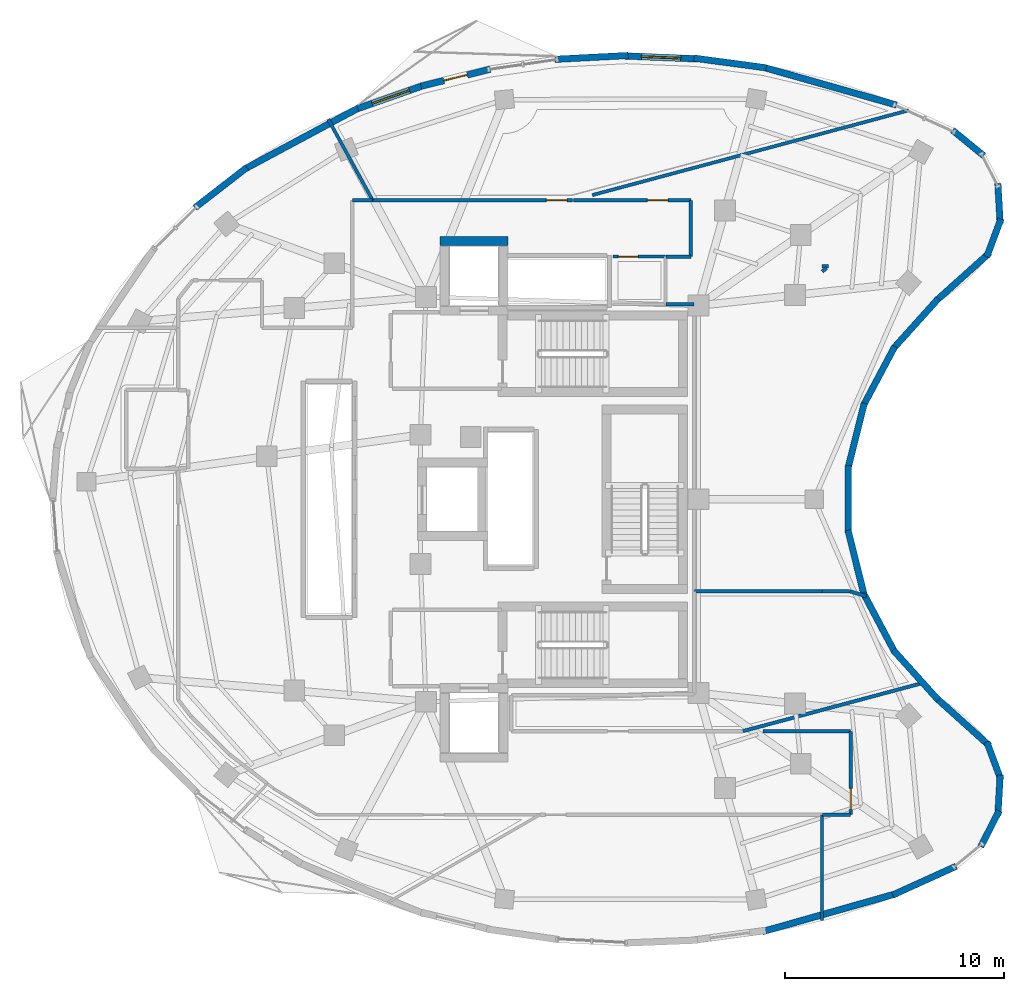
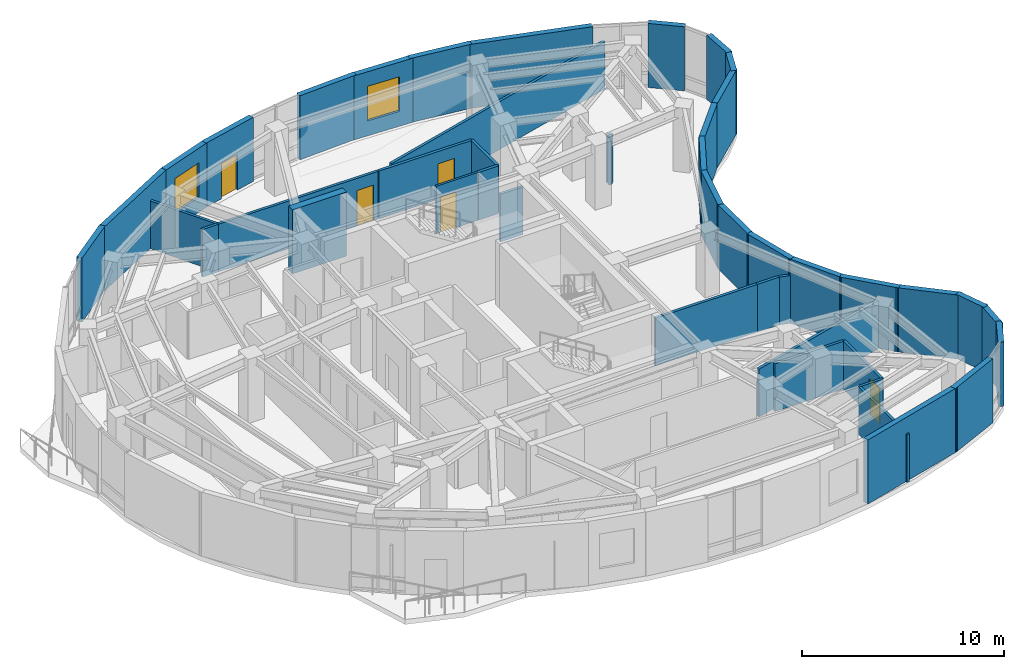
# One storey, part 9 of 13: 45 walls, 5 doors, 2 windows, 7 openings.
"""IFC4 building model written with IfcOpenShell, lengths in metres."""

from ifc_helpers import new_model, si_unit, direction, frame, frame_2d, origin, place, context, subcontext, project, spatial, rectangle, extrude, material, layer, layer_set, type_object, element, fill, save


model = new_model("IFC4")

# Units and contexts
model_context = context("Model", 3, precision=1e-05, world=origin(), true_north=direction((0.0, 1.0)))
body_context = subcontext(model_context, "Body", "Model", "MODEL_VIEW")
ifc_project = project(units=[si_unit("LENGTHUNIT", "METRE"), si_unit("AREAUNIT", "SQUARE_METRE"), si_unit("VOLUMEUNIT", "CUBIC_METRE"), si_unit("PLANEANGLEUNIT", "RADIAN"), si_unit("MASSUNIT", "GRAM", prefix="KILO")], contexts=[model_context])

# Site, building, storey
site_placement = place(None, origin())
site = spatial("IfcSite", under=ifc_project, at=site_placement, CompositionType="ELEMENT")
building_placement = place(site_placement, origin())
building = spatial("IfcBuilding", under=site, at=building_placement, Name="Korentha Bioscience Tower", CompositionType="ELEMENT")
storey_placement = place(building_placement, frame((0.0, 0.0, 273.0)))
storey = spatial("IfcBuildingStorey", under=building, at=storey_placement, Name="L63", CompositionType="ELEMENT", Elevation=273.0)

# Wall, opening, door
ifc_material_1 = material(Name="Double-Stud Acoustic Gypsum", Category="gypsum")
ifc_layer_1 = layer(ifc_material_1, 0.14990234375, Name="Double-Stud Acoustic Gypsum")
ifc_layer_set_1 = layer_set([ifc_layer_1], Name="Double-Stud Acoustic Gypsum (IW-L150)")
wall_type_1 = type_object("IfcWallType", Name="Acoustic Laboratory Partition Wall 150", PredefinedType="PARTITIONING", material=ifc_layer_set_1)
wall_1_placement = place(storey_placement, frame((44.510009765625, 12.60009765625, 0.0), z_axis=(0.0, 0.0, 1.0), x_axis=(0.0, 1.0, 0.0)))
wall_1 = element("IfcWall", 1, at=wall_1_placement, inside=storey, type_object=wall_type_1, Name="L63 Biomechanical Motion Analysis Lab 04 Entrance Wall", PredefinedType="PARTITIONING", context=body_context, shape_type="SweptSolid", body=[
    extrude(rectangle(XDim=3.7998046875, YDim=0.14990234375, at=frame_2d((1.89990234375, 0.0))), origin(), (0.0, 0.0, 1.0), 2.889892578125),
])
opening_1_placement = place(wall_1_placement, frame((0.239990234375, 0.0, 0.0)))
opening_1 = element("IfcOpeningElement", 2, at=opening_1_placement, cuts=wall_1, Name="Opening ID-10L", PredefinedType="OPENING", context=body_context, shape_type="SweptSolid", body=[
    extrude(rectangle(XDim=0.949951171875, YDim=2.14990234375, at=frame_2d((0.47509765625, 1.074951171875))), frame((0.0, 0.08984375, 0.0), z_axis=(0.0, -1.0, 0.0), x_axis=(1.0, 0.0, 0.0)), (0.0, 0.0, 1.0), 0.1796875),
])
ifc_material_2 = material(Name="Phenolic Laminate Timber Core", Category="wood")
door_type_1 = type_object("IfcDoorType", Name="Laboratory Single Leaf Door 950x2150 Left", OperationType="SINGLE_SWING_LEFT", PredefinedType="DOOR", material=ifc_material_2)
door_1_placement = place(opening_1_placement, origin())
door_1 = element("IfcDoor", 3, at=door_1_placement, inside=storey, type_object=door_type_1, Name="L63 Biomechanical Motion Analysis Lab 04 Door", OperationType="SINGLE_SWING_LEFT", OverallHeight=2.14990234375, OverallWidth=0.949951171875, PredefinedType="DOOR", context=body_context, shape_type="SweptSolid", body=[
    extrude(rectangle(XDim=0.949951171875, YDim=2.14990234375, at=frame_2d((0.47509765625, 1.074951171875))), frame((0.0, 0.02490234375, 0.0), z_axis=(0.0, -1.0, 0.0), x_axis=(1.0, 0.0, 0.0)), (0.0, 0.0, 1.0), 0.050048828125),
])
fill(opening_1, door_1)

wall_2_placement = place(storey_placement, frame((31.8056640625, 40.659912109375, 0.0), z_axis=(0.0, 0.0, 1.0), x_axis=(-1.0, 0.0, 0.0)))
wall_2 = element("IfcWall", 4, at=wall_2_placement, inside=storey, type_object=wall_type_1, Name="L63 Floor Concierge Reception 05 Entrance Wall", PredefinedType="PARTITIONING", context=body_context, shape_type="SweptSolid", body=[
    extrude(rectangle(XDim=9.136474609375, YDim=0.14990234375, at=frame_2d((4.568359375, 0.0))), origin(), (0.0, 0.0, 1.0), 2.889892578125),
])
opening_2_placement = place(wall_2_placement, frame((0.25732421875, 0.0, 0.0)))
opening_2 = element("IfcOpeningElement", 5, at=opening_2_placement, cuts=wall_2, Name="Opening ID-10R", PredefinedType="OPENING", context=body_context, shape_type="SweptSolid", body=[
    extrude(rectangle(XDim=0.949951171875, YDim=2.14990234375, at=frame_2d((0.47509765625, 1.074951171875))), frame((0.0, 0.08984375, 0.0), z_axis=(0.0, -1.0, 0.0), x_axis=(1.0, 0.0, 0.0)), (0.0, 0.0, 1.0), 0.1796875),
])
door_type_2 = type_object("IfcDoorType", Name="Laboratory Single Leaf Door 950x2150 Right", OperationType="SINGLE_SWING_RIGHT", PredefinedType="DOOR", material=ifc_material_2)
door_2_placement = place(opening_2_placement, origin())
door_2 = element("IfcDoor", 6, at=door_2_placement, inside=storey, type_object=door_type_2, Name="L63 Floor Concierge Reception 05 Door", OperationType="SINGLE_SWING_RIGHT", OverallHeight=2.14990234375, OverallWidth=0.949951171875, PredefinedType="DOOR", context=body_context, shape_type="SweptSolid", body=[
    extrude(rectangle(XDim=0.949951171875, YDim=2.14990234375, at=frame_2d((0.47509765625, 1.074951171875))), frame((0.0, 0.02490234375, 0.0), z_axis=(0.0, -1.0, 0.0), x_axis=(1.0, 0.0, 0.0)), (0.0, 0.0, 1.0), 0.050048828125),
])
fill(opening_2, door_2)

# Walls
wall_3_placement = place(storey_placement, frame((43.197998046875, 12.590087890625, 0.0), z_axis=(0.0, 0.0, 1.0), x_axis=(0.0, -1.0, 0.0)))
element("IfcWall", 7, at=wall_3_placement, inside=storey, type_object=wall_type_1, Name="L63 Interior Partition 022", PredefinedType="PARTITIONING", context=body_context, shape_type="SweptSolid", body=[
    extrude(rectangle(XDim=4.820556640625, YDim=0.14990234375, at=frame_2d((2.41015625, 0.0))), origin(), (0.0, 0.0, 1.0), 2.889892578125),
])
wall_4_placement = place(storey_placement, frame((43.2080078125, 12.590087890625, 0.0), z_axis=(0.0, 0.0, 1.0), x_axis=(1.0, 0.0, 0.0)))
element("IfcWall", 8, at=wall_4_placement, inside=storey, type_object=wall_type_1, Name="L63 Interior Partition 031", PredefinedType="PARTITIONING", context=body_context, shape_type="SweptSolid", body=[
    extrude(rectangle(XDim=1.2919921875, YDim=0.14990234375, at=frame_2d((0.64599609375, 0.0))), origin(), (0.0, 0.0, 1.0), 2.889892578125),
])
wall_5_placement = place(storey_placement, frame((44.5, 16.409912109375, 0.0), z_axis=(0.0, 0.0, 1.0), x_axis=(-1.0, 0.0, 0.0)))
element("IfcWall", 9, at=wall_5_placement, inside=storey, type_object=wall_type_1, Name="L63 Interior Partition 032", PredefinedType="PARTITIONING", context=body_context, shape_type="SweptSolid", body=[
    extrude(rectangle(XDim=3.98974609375, YDim=0.14990234375, at=frame_2d((1.994873046875, 0.0))), origin(), (0.0, 0.0, 1.0), 2.889892578125),
])
wall_6_placement = place(storey_placement, frame((47.15380859375, 44.7724609375, 0.0), z_axis=(0.0, 0.0, 1.0), x_axis=(-0.965924962881, -0.258822267365, 0.0)))
element("IfcWall", 10, at=wall_6_placement, inside=storey, type_object=wall_type_1, Name="L63 Interior Partition 033", PredefinedType="PARTITIONING", context=body_context, shape_type="SweptSolid", body=[
    extrude(rectangle(XDim=14.962158203125, YDim=0.14990234375, at=frame_2d((7.48095703125, 0.0))), origin(), (0.0, 0.0, 1.0), 2.889892578125),
])
wall_7_placement = place(storey_placement, frame((22.669189453125, 40.659912109375, 0.0), z_axis=(0.0, 0.0, 1.0), x_axis=(-0.480944413436, 0.8767510885, 0.0)))
element("IfcWall", 11, at=wall_7_placement, inside=storey, type_object=wall_type_1, Name="L63 Interior Partition 034", PredefinedType="PARTITIONING", context=body_context, shape_type="SweptSolid", body=[
    extrude(rectangle(XDim=4.223876953125, YDim=0.14990234375, at=frame_2d((2.11181640625, 0.0))), origin(), (0.0, 0.0, 1.0), 2.889892578125),
])
wall_8_placement = place(storey_placement, frame((22.65771484375, 40.659912109375, 0.0), z_axis=(0.0, 0.0, 1.0), x_axis=(-1.0, 0.0, 0.0)))
element("IfcWall", 12, at=wall_8_placement, inside=storey, type_object=wall_type_1, Name="L63 Interior Partition 048", PredefinedType="PARTITIONING", context=body_context, shape_type="SweptSolid", body=[
    extrude(rectangle(XDim=0.90771484375, YDim=0.14990234375, at=frame_2d((0.453857421875, 0.0))), origin(), (0.0, 0.0, 1.0), 2.889892578125),
])

# Wall, opening, door
ifc_material_3 = material(Name="Gypsum-Clad Steel Stud", Category="steel")
ifc_layer_2 = layer(ifc_material_3, 0.159912109375, Name="Gypsum-Clad Steel Stud")
ifc_layer_set_2 = layer_set([ifc_layer_2], Name="Gypsum-Clad Steel Stud (IW-C160)")
wall_type_2 = type_object("IfcWallType", Name="Fire-Rated Corridor Partition Wall 160", PredefinedType="PARTITIONING", material=ifc_layer_set_2)
wall_9_placement = place(storey_placement, frame((37.199951171875, 40.659912109375, 0.0), z_axis=(0.0, 0.0, 1.0), x_axis=(-1.0, 0.0, 0.0)))
wall_9 = element("IfcWall", 13, at=wall_9_placement, inside=storey, type_object=wall_type_2, Name="L63 Sky-Lobby Catering Pantry Store 06 Entrance Wall", PredefinedType="PARTITIONING", context=body_context, shape_type="SweptSolid", body=[
    extrude(rectangle(XDim=5.35546875, YDim=0.159912109375, at=frame_2d((2.677734375, 0.0))), origin(), (0.0, 0.0, 1.0), 2.889892578125),
])
opening_3_placement = place(wall_9_placement, frame((1.037353515625, 0.0, 0.0)))
opening_3 = element("IfcOpeningElement", 14, at=opening_3_placement, cuts=wall_9, Name="Opening ID-10L", PredefinedType="OPENING", context=body_context, shape_type="SweptSolid", body=[
    extrude(rectangle(XDim=0.949951171875, YDim=2.14990234375, at=frame_2d((0.47509765625, 1.074951171875))), frame((0.0, 0.0947265625, 0.0), z_axis=(0.0, -1.0, 0.0), x_axis=(1.0, 0.0, 0.0)), (0.0, 0.0, 1.0), 0.189697265625),
])
door_3_placement = place(opening_3_placement, origin())
door_3 = element("IfcDoor", 15, at=door_3_placement, inside=storey, type_object=door_type_1, Name="L63 Sky-Lobby Catering Pantry Store 06 Door", OperationType="SINGLE_SWING_LEFT", OverallHeight=2.14990234375, OverallWidth=0.949951171875, PredefinedType="DOOR", context=body_context, shape_type="SweptSolid", body=[
    extrude(rectangle(XDim=0.949951171875, YDim=2.14990234375, at=frame_2d((0.47509765625, 1.074951171875))), frame((0.0, 0.02490234375, 0.0), z_axis=(0.0, -1.0, 0.0), x_axis=(1.0, 0.0, 0.0)), (0.0, 0.0, 1.0), 0.050048828125),
])
fill(opening_3, door_3)

# Walls
wall_10_placement = place(storey_placement, frame((37.360107421875, 22.798095703125, 0.0), z_axis=(0.0, 0.0, 1.0), x_axis=(1.0, 0.0, 0.0)))
element("IfcWall", 16, at=wall_10_placement, inside=storey, type_object=wall_type_2, Name="L63 Interior Partition 026", PredefinedType="PARTITIONING", context=body_context, shape_type="SweptSolid", body=[
    extrude(rectangle(XDim=5.837890625, YDim=0.159912109375, at=frame_2d((2.9189453125, 0.0))), origin(), (0.0, 0.0, 1.0), 2.889892578125),
])
wall_11_placement = place(storey_placement, frame((43.2021484375, 22.798095703125, 0.0), z_axis=(0.0, 0.0, 1.0), x_axis=(1.0, 0.0, 0.0)))
element("IfcWall", 17, at=wall_11_placement, inside=storey, type_object=wall_type_2, Name="L63 Interior Partition 027", PredefinedType="PARTITIONING", context=body_context, shape_type="SweptSolid", body=[
    extrude(rectangle(XDim=1.2607421875, YDim=0.159912109375, at=frame_2d((0.63037109375, 0.0))), origin(), (0.0, 0.0, 1.0), 2.889892578125),
])
wall_12_placement = place(storey_placement, frame((44.463134765625, 22.798095703125, 0.0), z_axis=(0.0, 0.0, 1.0), x_axis=(0.959419641558, -0.281982182759, 0.0)))
element("IfcWall", 18, at=wall_12_placement, inside=storey, type_object=wall_type_2, Name="L63 Interior Partition 028", PredefinedType="PARTITIONING", context=body_context, shape_type="SweptSolid", body=[
    extrude(rectangle(XDim=0.78955078125, YDim=0.159912109375, at=frame_2d((0.394775390625, 0.0))), origin(), (0.0, 0.0, 1.0), 2.889892578125),
])
wall_13_placement = place(storey_placement, frame((47.832275390625, 18.620361328125, 0.0), z_axis=(0.0, 0.0, 1.0), x_axis=(-0.965923934259, -0.258826106152, 0.0)))
element("IfcWall", 19, at=wall_13_placement, inside=storey, type_object=wall_type_2, Name="L63 Interior Partition 029", PredefinedType="PARTITIONING", context=body_context, shape_type="SweptSolid", body=[
    extrude(rectangle(XDim=8.540283203125, YDim=0.159912109375, at=frame_2d((4.27001953125, 0.0))), origin(), (0.0, 0.0, 1.0), 2.889892578125),
])
wall_14_placement = place(storey_placement, frame((37.35009765625, 35.909912109375, 0.0), z_axis=(0.0, 0.0, 1.0), x_axis=(-1.0, 0.0, 0.0)))
element("IfcWall", 20, at=wall_14_placement, inside=storey, type_object=wall_type_2, Name="L63 Interior Partition 038", PredefinedType="PARTITIONING", context=body_context, shape_type="SweptSolid", body=[
    extrude(rectangle(XDim=1.2900390625, YDim=0.159912109375, at=frame_2d((0.64501953125, 0.0))), origin(), (0.0, 0.0, 1.0), 2.889892578125),
])
wall_15_placement = place(storey_placement, frame((36.06005859375, 38.090087890625, 0.0), z_axis=(0.0, 0.0, 1.0), x_axis=(1.0, 0.0, 0.0)))
element("IfcWall", 21, at=wall_15_placement, inside=storey, type_object=wall_type_2, Name="L63 Interior Partition 039", PredefinedType="PARTITIONING", context=body_context, shape_type="SweptSolid", body=[
    extrude(rectangle(XDim=1.139892578125, YDim=0.159912109375, at=frame_2d((0.56982421875, 0.0))), origin(), (0.0, 0.0, 1.0), 2.889892578125),
])
wall_16_placement = place(storey_placement, frame((37.2099609375, 38.10009765625, 0.0), z_axis=(0.0, 0.0, 1.0), x_axis=(0.0, 1.0, 0.0)))
element("IfcWall", 22, at=wall_16_placement, inside=storey, type_object=wall_type_2, Name="L63 Interior Partition 040", PredefinedType="PARTITIONING", context=body_context, shape_type="SweptSolid", body=[
    extrude(rectangle(XDim=2.5498046875, YDim=0.159912109375, at=frame_2d((1.27490234375, 0.0))), origin(), (0.0, 0.0, 1.0), 2.889892578125),
])
wall_17_placement = place(storey_placement, frame((43.20458984375, 37.40771484375, 0.0), z_axis=(0.0, 0.0, 1.0), x_axis=(0.781145187464, 0.624349418276, 0.0)))
element("IfcWall", 23, at=wall_17_placement, inside=storey, type_object=wall_type_2, Name="L63 Interior Partition 041", PredefinedType="PARTITIONING", context=body_context, shape_type="SweptSolid", body=[
    extrude(rectangle(XDim=0.258544921875, YDim=0.159912109375, at=frame_2d((0.12939453125, 0.0))), origin(), (0.0, 0.0, 1.0), 2.889892578125),
])
wall_18_placement = place(storey_placement, frame((43.499267578125, 37.652099609375, 0.0), z_axis=(0.0, 0.0, 1.0), x_axis=(-1.0, 0.0, 0.0)))
element("IfcWall", 24, at=wall_18_placement, inside=storey, type_object=wall_type_2, Name="L63 Interior Partition 042", PredefinedType="PARTITIONING", context=body_context, shape_type="SweptSolid", body=[
    extrude(rectangle(XDim=0.297119140625, YDim=0.159912109375, at=frame_2d((0.1484375, 0.0))), origin(), (0.0, 0.0, 1.0), 2.889892578125),
])

# Wall, opening, window
ifc_material_4 = material(Name="Honed Limestone Precast Concrete C40", Category="masonry")
ifc_layer_3 = layer(ifc_material_4, 0.300048828125, Name="Honed Limestone Precast Concrete C40")
ifc_layer_set_3 = layer_set([ifc_layer_3], Name="Honed Limestone Precast Concrete C40 (EW-ST300)")
wall_type_3 = type_object("IfcWallType", Name="Honed Limestone Cavity Spandrel Wall 300", PredefinedType="STANDARD", material=ifc_layer_set_3)
wall_19_placement = place(storey_placement, frame((37.495849609375, 47.122802734375, 0.0), z_axis=(0.0, 0.0, 1.0), x_axis=(-0.999191145847, 0.040212610729, 0.0)))
wall_19 = element("IfcWall", 25, at=wall_19_placement, inside=storey, type_object=wall_type_3, Name="L63 Honed Limestone Spandrel Wall 05", PredefinedType="STANDARD", context=body_context, shape_type="SweptSolid", body=[
    extrude(rectangle(XDim=3.308837890625, YDim=0.300048828125, at=frame_2d((1.654296875, 0.0))), origin(), (0.0, 0.0, 1.0), 3.8798828125),
])
opening_4_placement = place(wall_19_placement, frame((0.75439453125, 0.0, 0.89990234375)))
opening_4 = element("IfcOpeningElement", 26, at=opening_4_placement, cuts=wall_19, Name="Opening WN-01", PredefinedType="OPENING", context=body_context, shape_type="SweptSolid", body=[
    extrude(rectangle(XDim=1.800048828125, YDim=2.10009765625, at=frame_2d((0.89990234375, 1.050048828125))), frame((0.0, 0.1650390625, 0.0), z_axis=(0.0, -1.0, 0.0), x_axis=(1.0, 0.0, 0.0)), (0.0, 0.0, 1.0), 0.329833984375),
])
ifc_material_5 = material(Name="Thermally Broken Aluminium Triple Glazing", Category="aluminium")
window_type = type_object("IfcWindowType", Name="Triple-Glazed Fixed Bioscience Window 1800x2100", PartitioningType="SINGLE_PANEL", PredefinedType="WINDOW", material=ifc_material_5)
window_1_placement = place(opening_4_placement, origin())
window_1 = element("IfcWindow", 27, at=window_1_placement, inside=storey, type_object=window_type, Name="L63 Facade Window 05", OverallHeight=2.10009765625, OverallWidth=1.800048828125, PartitioningType="SINGLE_PANEL", PredefinedType="WINDOW", context=body_context, shape_type="SweptSolid", body=[
    extrude(rectangle(XDim=1.800048828125, YDim=2.10009765625, at=frame_2d((0.89990234375, 1.050048828125))), frame((0.0, 0.030029296875, 0.0), z_axis=(0.0, -1.0, 0.0), x_axis=(1.0, 0.0, 0.0)), (0.0, 0.0, 1.0), 0.06005859375),
])
fill(opening_4, window_1)

# Wall, opening, door
wall_20_placement = place(storey_placement, frame((28.034912109375, 46.647216796875, 0.0), z_axis=(0.0, 0.0, 1.0), x_axis=(-0.971310768778, -0.237813772636, 0.0)))
wall_20 = element("IfcWall", 28, at=wall_20_placement, inside=storey, type_object=wall_type_3, Name="L63 Balcony Threshold Wall 01", PredefinedType="STANDARD", context=body_context, shape_type="SweptSolid", body=[
    extrude(rectangle(XDim=3.250244140625, YDim=0.300048828125, at=frame_2d((1.625, 0.0))), origin(), (0.0, 0.0, 1.0), 3.8798828125),
])
opening_5_placement = place(wall_20_placement, frame((1.074951171875, 0.0, 0.0)))
opening_5 = element("IfcOpeningElement", 29, at=opening_5_placement, cuts=wall_20, Name="Opening BD-11L", PredefinedType="OPENING", context=body_context, shape_type="SweptSolid", body=[
    extrude(rectangle(XDim=1.10009765625, YDim=2.14990234375, at=frame_2d((0.550048828125, 1.074951171875))), frame((0.0, 0.1650390625, 0.0), z_axis=(0.0, -1.0, 0.0), x_axis=(1.0, 0.0, 0.0)), (0.0, 0.0, 1.0), 0.329833984375),
])
ifc_material_6 = material(Name="Thermally Broken Glazed Aluminium", Category="aluminium")
door_type_3 = type_object("IfcDoorType", Name="Balcony Terrace Glazed Door 1100x2150 Left", OperationType="SINGLE_SWING_LEFT", PredefinedType="DOOR", material=ifc_material_6)
door_4_placement = place(opening_5_placement, origin())
door_4 = element("IfcDoor", 30, at=door_4_placement, inside=storey, type_object=door_type_3, Name="L63 Balcony Access Door 01", OperationType="SINGLE_SWING_LEFT", OverallHeight=2.14990234375, OverallWidth=1.10009765625, PredefinedType="DOOR", context=body_context, shape_type="SweptSolid", body=[
    extrude(rectangle(XDim=1.10009765625, YDim=2.14990234375, at=frame_2d((0.550048828125, 1.074951171875))), frame((0.0, 0.02490234375, 0.0), z_axis=(0.0, -1.0, 0.0), x_axis=(1.0, 0.0, 0.0)), (0.0, 0.0, 1.0), 0.050048828125),
])
fill(opening_5, door_4)

# Wall, opening, window
wall_21_placement = place(storey_placement, frame((25.0078125, 45.912841796875, 0.0), z_axis=(0.0, 0.0, 1.0), x_axis=(-0.943473052448, -0.331449240917, 0.0)))
wall_21 = element("IfcWall", 31, at=wall_21_placement, inside=storey, type_object=wall_type_3, Name="L63 Honed Limestone Spandrel Wall 09", PredefinedType="STANDARD", context=body_context, shape_type="SweptSolid", body=[
    extrude(rectangle(XDim=3.196044921875, YDim=0.300048828125, at=frame_2d((1.59814453125, 0.0))), origin(), (0.0, 0.0, 1.0), 3.8798828125),
])
opening_6_placement = place(wall_21_placement, frame((0.697998046875, 0.0, 0.89990234375)))
opening_6 = element("IfcOpeningElement", 32, at=opening_6_placement, cuts=wall_21, Name="Opening WN-01", PredefinedType="OPENING", context=body_context, shape_type="SweptSolid", body=[
    extrude(rectangle(XDim=1.800048828125, YDim=2.10009765625, at=frame_2d((0.89990234375, 1.050048828125))), frame((0.0, 0.1650390625, 0.0), z_axis=(0.0, -1.0, 0.0), x_axis=(1.0, 0.0, 0.0)), (0.0, 0.0, 1.0), 0.329833984375),
])
window_2_placement = place(opening_6_placement, origin())
window_2 = element("IfcWindow", 33, at=window_2_placement, inside=storey, type_object=window_type, Name="L63 Facade Window 09", OverallHeight=2.10009765625, OverallWidth=1.800048828125, PartitioningType="SINGLE_PANEL", PredefinedType="WINDOW", context=body_context, shape_type="SweptSolid", body=[
    extrude(rectangle(XDim=1.800048828125, YDim=2.10009765625, at=frame_2d((0.89990234375, 1.050048828125))), frame((0.0, 0.030029296875, 0.0), z_axis=(0.0, -1.0, 0.0), x_axis=(1.0, 0.0, 0.0)), (0.0, 0.0, 1.0), 0.06005859375),
])
fill(opening_6, window_2)

# Walls
wall_22_placement = place(storey_placement, frame((46.6015625, 45.014404296875, 0.0), z_axis=(0.0, 0.0, 1.0), x_axis=(-0.962160382219, 0.272483758943, 0.0)))
element("IfcWall", 34, at=wall_22_placement, inside=storey, type_object=wall_type_3, Name="L63 Limestone Perimeter Closure Wall 02", PredefinedType="STANDARD", context=body_context, shape_type="SweptSolid", body=[
    extrude(rectangle(XDim=6.372314453125, YDim=0.300048828125, at=frame_2d((3.18603515625, 0.0))), origin(), (0.0, 0.0, 1.0), 3.8798828125),
])
wall_23_placement = place(storey_placement, frame((40.646240234375, 46.71435546875, 0.0), z_axis=(0.0, 0.0, 1.0), x_axis=(-0.991133560493, 0.132869354124, 0.0)))
element("IfcWall", 35, at=wall_23_placement, inside=storey, type_object=wall_type_3, Name="L63 Limestone Perimeter Closure Wall 04", PredefinedType="STANDARD", context=body_context, shape_type="SweptSolid", body=[
    extrude(rectangle(XDim=3.331298828125, YDim=0.300048828125, at=frame_2d((1.66552734375, 0.0))), origin(), (0.0, 0.0, 1.0), 3.8798828125),
])
wall_24_placement = place(storey_placement, frame((34.34326171875, 47.27783203125, 0.0), z_axis=(0.0, 0.0, 1.0), x_axis=(-0.998635900459, -0.052214349695, 0.0)))
element("IfcWall", 36, at=wall_24_placement, inside=storey, type_object=wall_type_3, Name="L63 Limestone Perimeter Closure Wall 06", PredefinedType="STANDARD", context=body_context, shape_type="SweptSolid", body=[
    extrude(rectangle(XDim=3.347900390625, YDim=0.300048828125, at=frame_2d((1.673828125, 0.0))), origin(), (0.0, 0.0, 1.0), 3.8798828125),
])
wall_25_placement = place(storey_placement, frame((22.1328125, 44.93896484375, 0.0), z_axis=(0.0, 0.0, 1.0), x_axis=(-0.881337457, -0.472487340454, 0.0)))
element("IfcWall", 37, at=wall_25_placement, inside=storey, type_object=wall_type_3, Name="L63 Limestone Perimeter Closure Wall 10", PredefinedType="STANDARD", context=body_context, shape_type="SweptSolid", body=[
    extrude(rectangle(XDim=6.08837890625, YDim=0.300048828125, at=frame_2d((3.044189453125, 0.0))), origin(), (0.0, 0.0, 1.0), 3.8798828125),
])
wall_26_placement = place(storey_placement, frame((16.920166015625, 42.16162109375, 0.0), z_axis=(0.0, 0.0, 1.0), x_axis=(-0.790506568463, -0.612453561682, 0.0)))
element("IfcWall", 38, at=wall_26_placement, inside=storey, type_object=wall_type_3, Name="L63 Limestone Perimeter Closure Wall 12", PredefinedType="STANDARD", context=body_context, shape_type="SweptSolid", body=[
    extrude(rectangle(XDim=3.0029296875, YDim=0.300048828125, at=frame_2d((1.50146484375, 0.0))), origin(), (0.0, 0.0, 1.0), 3.8798828125),
])
wall_27_placement = place(storey_placement, frame((40.470458984375, 7.249267578125, 0.0), z_axis=(0.0, 0.0, 1.0), x_axis=(0.962160382219, 0.272483758943, 0.0)))
element("IfcWall", 39, at=wall_27_placement, inside=storey, type_object=wall_type_3, Name="L63 Limestone Perimeter Closure Wall 34", PredefinedType="STANDARD", context=body_context, shape_type="SweptSolid", body=[
    extrude(rectangle(XDim=6.372314453125, YDim=0.300048828125, at=frame_2d((3.18603515625, 0.0))), origin(), (0.0, 0.0, 1.0), 3.8798828125),
])
wall_28_placement = place(storey_placement, frame((46.431884765625, 8.92333984375, 0.0), z_axis=(0.0, 0.0, 1.0), x_axis=(0.910592641424, 0.413305022211, 0.0)))
element("IfcWall", 40, at=wall_28_placement, inside=storey, type_object=wall_type_3, Name="L63 Limestone Perimeter Closure Wall 36", PredefinedType="STANDARD", context=body_context, shape_type="SweptSolid", body=[
    extrude(rectangle(XDim=3.177490234375, YDim=0.300048828125, at=frame_2d((1.5888671875, 0.0))), origin(), (0.0, 0.0, 1.0), 3.8798828125),
])
for number, where, z_axis, x_axis, name in (
    (41, (50.451171875, 11.1328125, 0.0), (0.0, 0.0, 1.0), (0.454199826939, 0.890899835677, 0.0), "L63 Limestone Perimeter Closure Wall 38"),
    (42, (51.231689453125, 12.56689453125, 0.0), (0.0, 0.0, 1.0), (0.057400886187, 0.998351209878, 0.0), "L63 Limestone Perimeter Closure Wall 39"),
    (43, (51.369384765625, 14.193603515625, 0.0), (0.0, 0.0, 1.0), (-0.348928688775, 0.937149278477, 0.0), "L63 Limestone Perimeter Closure Wall 40"),
):
    element("IfcWall", number, at=place(storey_placement, frame(where, z_axis=z_axis, x_axis=x_axis)), inside=storey, type_object=wall_type_3, Name=name, PredefinedType="STANDARD", context=body_context, shape_type="SweptSolid", body=[
        extrude(rectangle(XDim=1.841552734375, YDim=0.300048828125, at=frame_2d((0.9208984375, 0.0))), origin(), (0.0, 0.0, 1.0), 3.8798828125),
    ])
wall_29_placement = place(storey_placement, frame((50.8515625, 15.73583984375, 0.0), z_axis=(0.0, 0.0, 1.0), x_axis=(-0.743397410822, 0.668849975393, 0.0)))
element("IfcWall", 44, at=wall_29_placement, inside=storey, type_object=wall_type_3, Name="L63 Limestone Perimeter Closure Wall 41", PredefinedType="STANDARD", context=body_context, shape_type="SweptSolid", body=[
    extrude(rectangle(XDim=3.291259765625, YDim=0.300048828125, at=frame_2d((1.6455078125, 0.0))), origin(), (0.0, 0.0, 1.0), 3.8798828125),
])
wall_30_placement = place(storey_placement, frame((48.507568359375, 17.834716796875, 0.0), z_axis=(0.0, 0.0, 1.0), x_axis=(-0.669127242861, 0.743147853971, 0.0)))
element("IfcWall", 45, at=wall_30_placement, inside=storey, type_object=wall_type_3, Name="L63 Limestone Perimeter Closure Wall 43", PredefinedType="STANDARD", context=body_context, shape_type="SweptSolid", body=[
    extrude(rectangle(XDim=3.07080078125, YDim=0.300048828125, at=frame_2d((1.535400390625, 0.0))), origin(), (0.0, 0.0, 1.0), 3.8798828125),
])
wall_31_placement = place(storey_placement, frame((46.5244140625, 20.014404296875, 0.0), z_axis=(0.0, 0.0, 1.0), x_axis=(-0.469494296004, 0.882935505017, 0.0)))
element("IfcWall", 46, at=wall_31_placement, inside=storey, type_object=wall_type_3, Name="L63 Limestone Perimeter Closure Wall 45", PredefinedType="STANDARD", context=body_context, shape_type="SweptSolid", body=[
    extrude(rectangle(XDim=3.070556640625, YDim=0.300048828125, at=frame_2d((1.53515625, 0.0))), origin(), (0.0, 0.0, 1.0), 3.8798828125),
])
wall_32_placement = place(storey_placement, frame((45.12744140625, 22.609130859375, 0.0), z_axis=(0.0, 0.0, 1.0), x_axis=(-0.241880750878, 0.970305983881, 0.0)))
element("IfcWall", 47, at=wall_32_placement, inside=storey, type_object=wall_type_3, Name="L63 Limestone Perimeter Closure Wall 47", PredefinedType="STANDARD", context=body_context, shape_type="SweptSolid", body=[
    extrude(rectangle(XDim=3.0703125, YDim=0.300048828125, at=frame_2d((1.53515625, 0.0))), origin(), (0.0, 0.0, 1.0), 3.8798828125),
])
wall_33_placement = place(storey_placement, frame((44.39990234375, 25.464599609375, 0.0), z_axis=(0.0, 0.0, 1.0), x_axis=(0.0, 1.0, 0.0)))
element("IfcWall", 48, at=wall_33_placement, inside=storey, type_object=wall_type_3, Name="L63 Limestone Perimeter Closure Wall 49", PredefinedType="STANDARD", context=body_context, shape_type="SweptSolid", body=[
    extrude(rectangle(XDim=3.07080078125, YDim=0.300048828125, at=frame_2d((1.535400390625, 0.0))), origin(), (0.0, 0.0, 1.0), 3.8798828125),
])
wall_34_placement = place(storey_placement, frame((44.384765625, 28.41162109375, 0.0), z_axis=(0.0, 0.0, 1.0), x_axis=(0.241880750878, 0.970305983881, 0.0)))
element("IfcWall", 49, at=wall_34_placement, inside=storey, type_object=wall_type_3, Name="L63 Limestone Perimeter Closure Wall 51", PredefinedType="STANDARD", context=body_context, shape_type="SweptSolid", body=[
    extrude(rectangle(XDim=3.0703125, YDim=0.300048828125, at=frame_2d((1.53515625, 0.0))), origin(), (0.0, 0.0, 1.0), 3.8798828125),
])
wall_35_placement = place(storey_placement, frame((45.082763671875, 31.2744140625, 0.0), z_axis=(0.0, 0.0, 1.0), x_axis=(0.469494296004, 0.882935505017, 0.0)))
element("IfcWall", 50, at=wall_35_placement, inside=storey, type_object=wall_type_3, Name="L63 Limestone Perimeter Closure Wall 53", PredefinedType="STANDARD", context=body_context, shape_type="SweptSolid", body=[
    extrude(rectangle(XDim=3.070556640625, YDim=0.300048828125, at=frame_2d((1.53515625, 0.0))), origin(), (0.0, 0.0, 1.0), 3.8798828125),
])
wall_36_placement = place(storey_placement, frame((46.452880859375, 33.88330078125, 0.0), z_axis=(0.0, 0.0, 1.0), x_axis=(0.669127242861, 0.743147853971, 0.0)))
element("IfcWall", 51, at=wall_36_placement, inside=storey, type_object=wall_type_3, Name="L63 Limestone Perimeter Closure Wall 55", PredefinedType="STANDARD", context=body_context, shape_type="SweptSolid", body=[
    extrude(rectangle(XDim=3.07080078125, YDim=0.300048828125, at=frame_2d((1.535400390625, 0.0))), origin(), (0.0, 0.0, 1.0), 3.8798828125),
])
wall_37_placement = place(storey_placement, frame((48.40478515625, 36.062744140625, 0.0), z_axis=(0.0, 0.0, 1.0), x_axis=(0.743397410822, 0.668849975393, 0.0)))
element("IfcWall", 52, at=wall_37_placement, inside=storey, type_object=wall_type_3, Name="L63 Limestone Perimeter Closure Wall 57", PredefinedType="STANDARD", context=body_context, shape_type="SweptSolid", body=[
    extrude(rectangle(XDim=3.291259765625, YDim=0.300048828125, at=frame_2d((1.6455078125, 0.0))), origin(), (0.0, 0.0, 1.0), 3.8798828125),
])
for number, where, z_axis, x_axis, name in (
    (53, (50.726806640625, 38.08056640625, 0.0), (0.0, 0.0, 1.0), (0.348928688775, 0.937149278477, 0.0), "L63 Limestone Perimeter Closure Wall 59"),
    (54, (51.33740234375, 39.594482421875, 0.0), (0.0, 0.0, 1.0), (-0.057400886187, 0.998351209878, 0.0), "L63 Limestone Perimeter Closure Wall 60"),
    (55, (50.58544921875, 42.70068359375, 0.0), (0.0, 0.0, 1.0), (-0.774228937895, 0.63290564204, 0.0), "L63 Limestone Perimeter Closure Wall 62"),
):
    element("IfcWall", number, at=place(storey_placement, frame(where, z_axis=z_axis, x_axis=x_axis)), inside=storey, type_object=wall_type_3, Name=name, PredefinedType="STANDARD", context=body_context, shape_type="SweptSolid", body=[
        extrude(rectangle(XDim=1.841552734375, YDim=0.300048828125, at=frame_2d((0.9208984375, 0.0))), origin(), (0.0, 0.0, 1.0), 3.8798828125),
    ])
ifc_material_7 = material(Name="Concrete C65", Category="concrete")
ifc_layer_4 = layer(ifc_material_7, 0.39990234375, Name="Concrete C65")
ifc_layer_set_4 = layer_set([ifc_layer_4], Name="Concrete C65 (CW-C65)")
wall_type_4 = type_object("IfcWallType", Name="Mid-Rise Core Shear Wall 400", PredefinedType="SHEAR", material=ifc_layer_set_4)
wall_38_placement = place(storey_placement, frame((25.75, 38.800048828125, 0.0), z_axis=(0.0, 0.0, 1.0), x_axis=(1.0, 0.0, 0.0)))
element("IfcWall", 56, at=wall_38_placement, inside=storey, type_object=wall_type_4, Name="L63 Core Shear Wall FFL2-N", PredefinedType="SHEAR", context=body_context, shape_type="SweptSolid", body=[
    extrude(rectangle(XDim=3.10009765625, YDim=0.39990234375, at=frame_2d((1.550048828125, 0.0))), origin(), (0.0, 0.0, 1.0), 3.8798828125),
])

# Wall, opening, door
ifc_material_8 = material(Name="Cement-Board Steel Stud", Category="steel")
ifc_layer_5 = layer(ifc_material_8, 0.1298828125, Name="Cement-Board Steel Stud")
ifc_layer_set_5 = layer_set([ifc_layer_5], Name="Cement-Board Steel Stud (IW-W130)")
wall_type_5 = type_object("IfcWallType", Name="Wet-Area Moisture-Resistant Partition 130", PredefinedType="PARTITIONING", material=ifc_layer_set_5)
wall_39_placement = place(storey_placement, frame((33.64990234375, 38.090087890625, 0.0), z_axis=(0.0, 0.0, 1.0), x_axis=(1.0, 0.0, 0.0)))
wall_39 = element("IfcWall", 57, at=wall_39_placement, inside=storey, type_object=wall_type_5, Name="L63 Accessible Staff WC Entrance Wall", PredefinedType="PARTITIONING", context=body_context, shape_type="SweptSolid", body=[
    extrude(rectangle(XDim=2.400146484375, YDim=0.1298828125, at=frame_2d((1.2001953125, 0.0))), origin(), (0.0, 0.0, 1.0), 2.889892578125),
])
opening_7_placement = place(wall_39_placement, frame((0.239990234375, 0.0, 0.0)))
opening_7 = element("IfcOpeningElement", 58, at=opening_7_placement, cuts=wall_39, Name="Opening ID-09R", PredefinedType="OPENING", context=body_context, shape_type="SweptSolid", body=[
    extrude(rectangle(XDim=0.89990234375, YDim=2.14990234375, at=frame_2d((0.449951171875, 1.074951171875))), frame((0.0, 0.079833984375, 0.0), z_axis=(0.0, -1.0, 0.0), x_axis=(1.0, 0.0, 0.0)), (0.0, 0.0, 1.0), 0.15966796875),
])
ifc_material_9 = material(Name="Moisture-Resistant HPL Leaf", Category="wood")
door_type_4 = type_object("IfcDoorType", Name="Restroom & Accessible WC Door 900x2150 Right", OperationType="SINGLE_SWING_RIGHT", PredefinedType="DOOR", material=ifc_material_9)
door_5_placement = place(opening_7_placement, origin())
door_5 = element("IfcDoor", 59, at=door_5_placement, inside=storey, type_object=door_type_4, Name="L63 Accessible Staff WC Door", OperationType="SINGLE_SWING_RIGHT", OverallHeight=2.14990234375, OverallWidth=0.89990234375, PredefinedType="DOOR", context=body_context, shape_type="SweptSolid", body=[
    extrude(rectangle(XDim=0.89990234375, YDim=2.14990234375, at=frame_2d((0.449951171875, 1.074951171875))), frame((0.0, 0.02490234375, 0.0), z_axis=(0.0, -1.0, 0.0), x_axis=(1.0, 0.0, 0.0)), (0.0, 0.0, 1.0), 0.050048828125),
])
fill(opening_7, door_5)

save(model, "model.ifc")
